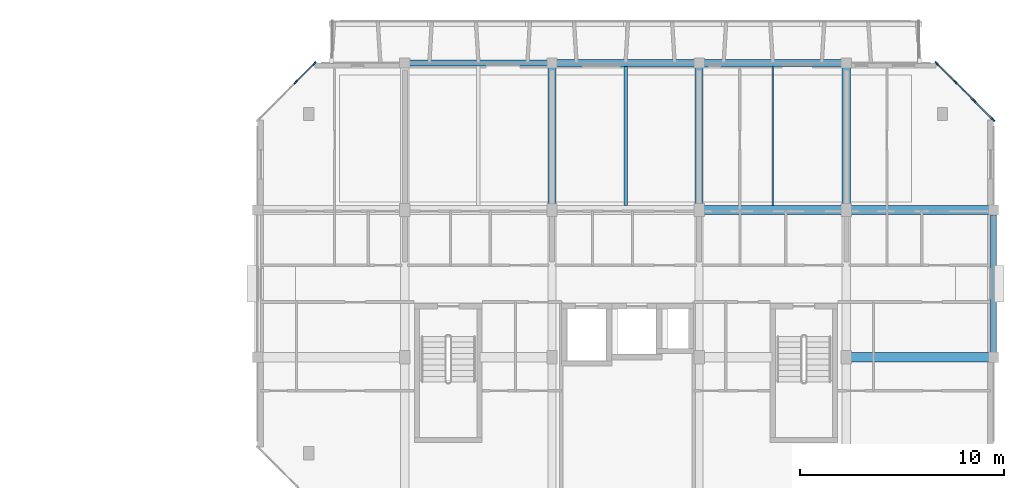
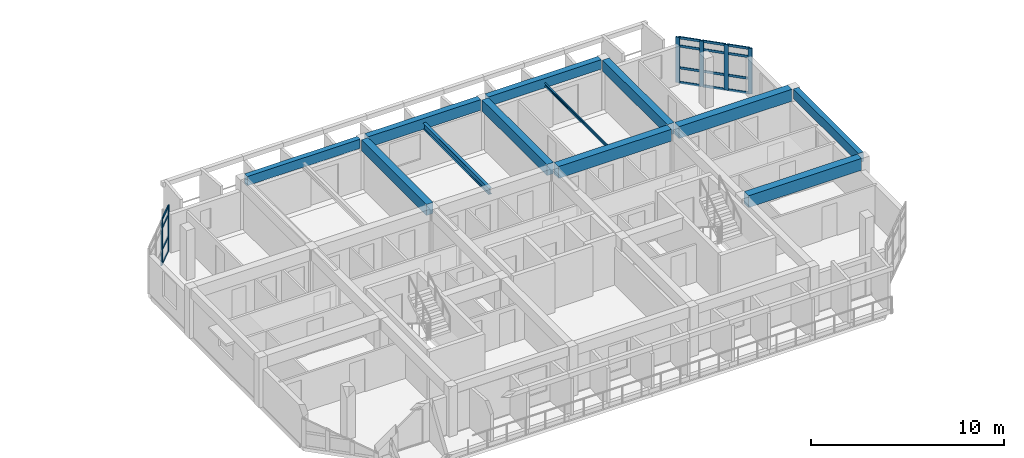
# One storey, part 10 of 45: 22 members, 12 beams, 2 elements without a shape of their own.
"""IFC4 building model written with IfcOpenShell, lengths in metres."""

from ifc_helpers import new_model, si_unit, direction, frame, origin, origin_2d, place, context, subcontext, project, spatial, rectangle, i_section, u_section, extrude, material, layer, layer_set, material_profile, profile_set, type_object, element, aggregate, save


model = new_model("IFC4")

# Units and contexts
model_context = context("Model", 3, precision=1e-05, world=origin(), true_north=direction((0.0, 1.0)))
body_context = subcontext(model_context, "Body", "Model", "MODEL_VIEW")
ifc_project = project(units=[si_unit("LENGTHUNIT", "METRE"), si_unit("AREAUNIT", "SQUARE_METRE"), si_unit("VOLUMEUNIT", "CUBIC_METRE"), si_unit("PLANEANGLEUNIT", "RADIAN"), si_unit("MASSUNIT", "GRAM", prefix="KILO")], contexts=[model_context])

# Site, building, storey
site_placement = place(None, origin())
site = spatial("IfcSite", under=ifc_project, at=site_placement, CompositionType="ELEMENT")
building_placement = place(site_placement, origin())
building = spatial("IfcBuilding", under=site, at=building_placement, Name="Ochrevale Crest", CompositionType="ELEMENT")
storey_placement = place(building_placement, frame((0.0, 0.0, 18.14990234375)))
storey = spatial("IfcBuildingStorey", under=building, at=storey_placement, Name="L05", CompositionType="ELEMENT", Elevation=18.14990234375)

# Beams
ifc_material_1 = material(Name="Precast concrete C50/60", Category="concrete")
ifc_material_profile_1 = material_profile(ifc_material_1, rectangle(XDim=0.39990234375, YDim=0.699951171875, at=origin_2d()), Name="PC 400x700")
ifc_profile_set_1 = profile_set([ifc_material_profile_1], Name="Precast concrete C50/60")
beam_type_1 = type_object("IfcBeamType", Name="BM-PC400x700", PredefinedType="BEAM", material=ifc_profile_set_1)
for number, where, z_axis, x_axis, name in (
    (1, (144.0, 86.6298828125, 2.800048828125), (0.0, 1.0, 0.0), (-1.0, 0.0, 0.0), "Block D L05 N-S beam X=144.0"),
    (2, (151.199951171875, 86.6298828125, 2.800048828125), (0.0, 1.0, 0.0), (-1.0, 0.0, 0.0), "Block D L05 N-S beam X=151.2"),
    (3, (158.39990234375, 86.6298828125, 2.800048828125), (0.0, 1.0, 0.0), (-1.0, 0.0, 0.0), "Block D L05 N-S beam X=158.4"),
):
    element("IfcBeam", number, at=place(storey_placement, frame(where, z_axis=z_axis, x_axis=x_axis)), inside=storey, type_object=beam_type_1, Name=name, PredefinedType="BEAM", context=body_context, shape_type="SweptSolid", body=[
        extrude(rectangle(XDim=0.39990234375, YDim=0.699951171875, at=origin_2d()), origin(), (0.0, 0.0, 1.0), 6.740234375),
    ])
ifc_material_2 = material(Name="Steel S355", Category="steel")
ifc_material_profile_2 = material_profile(ifc_material_2, u_section(Depth=0.199951171875, FlangeWidth=0.074951171875, WebThickness=0.006103515625, FlangeThickness=0.011962890625, FilletRadius=0.011962890625, at=origin_2d()), Name="200PFC")
ifc_profile_set_2 = profile_set([ifc_material_profile_2], Name="Steel S355")
beam_type_2 = type_object("IfcBeamType", Name="BM-PFC200", PredefinedType="JOIST", material=ifc_profile_set_2)
beam_1_placement = place(storey_placement, frame((154.800048828125, 86.613037109375, 2.775146484375), z_axis=(0.0, 1.0, 0.0), x_axis=(-1.0, 0.0, 0.0)))
element("IfcBeam", 4, at=beam_1_placement, inside=storey, type_object=beam_type_2, Name="Block D L05 composite plank trimmer beam 4", PredefinedType="JOIST", context=body_context, shape_type="SweptSolid", body=[
    extrude(u_section(Depth=0.199951171875, FlangeWidth=0.074951171875, WebThickness=0.006103515625, FlangeThickness=0.011962890625, FilletRadius=0.011962890625, at=origin_2d()), origin(), (0.0, 0.0, 1.0), 6.823974609375),
])
ifc_material_3 = material(Name="Concrete C50/60", Category="concrete")
ifc_material_profile_3 = material_profile(ifc_material_3, rectangle(XDim=0.449951171875, YDim=0.75, at=origin_2d()), Name="RC 450x750")
ifc_profile_set_3 = profile_set([ifc_material_profile_3], Name="Concrete C50/60")
beam_type_3 = type_object("IfcBeamType", Name="BM-PG450x750", PredefinedType="USERDEFINED", material=ifc_profile_set_3)
for number, where, z_axis, x_axis, name in (
    (5, (158.625, 79.199951171875, 2.775146484375), (1.0, 0.0, 0.0), (0.0, 1.0, 0.0), "Block D L05 E-W beam Y=79.2"),
    (6, (151.425048828125, 86.39990234375, 2.775146484375), (1.0, 0.0, 0.0), (0.0, 1.0, 0.0), "Block D L05 E-W beam Y=86.4"),
    (7, (158.625, 86.39990234375, 2.775146484375), (1.0, 0.0, 0.0), (0.0, 1.0, 0.0), "Block D L05 E-W beam Y=86.4"),
):
    element("IfcBeam", number, at=place(storey_placement, frame(where, z_axis=z_axis, x_axis=x_axis)), inside=storey, type_object=beam_type_3, Name=name, ObjectType="GIRDER", PredefinedType="USERDEFINED", context=body_context, shape_type="SweptSolid", body=[
        extrude(rectangle(XDim=0.449951171875, YDim=0.75, at=origin_2d()), origin(), (0.0, 0.0, 1.0), 6.75),
    ])
ifc_material_4 = material(Name="Precast concrete C40/50", Category="concrete")
ifc_material_profile_4 = material_profile(ifc_material_4, rectangle(XDim=0.300048828125, YDim=0.580078125, at=origin_2d()), Name="PC 300x580")
ifc_profile_set_4 = profile_set([ifc_material_profile_4], Name="Precast concrete C40/50")
beam_type_4 = type_object("IfcBeamType", Name="BM-SP300x580", PredefinedType="SPANDREL", material=ifc_profile_set_4)
beam_2_placement = place(storey_placement, frame((137.02490234375, 93.60009765625, 2.860107421875), z_axis=(1.0, 0.0, 0.0), x_axis=(0.0, 1.0, 0.0)))
element("IfcBeam", 8, at=beam_2_placement, inside=storey, type_object=beam_type_4, Name="Block D L05 E-W beam Y=93.6", PredefinedType="SPANDREL", context=body_context, shape_type="SweptSolid", body=[
    extrude(rectangle(XDim=0.300048828125, YDim=0.580078125, at=origin_2d()), origin(), (0.0, 0.0, 1.0), 6.75),
])
ifc_material_profile_5 = material_profile(ifc_material_4, rectangle(XDim=0.300048828125, YDim=0.60009765625, at=origin_2d()), Name="PC 300x600")
ifc_profile_set_5 = profile_set([ifc_material_profile_5], Name="Precast concrete C40/50")
beam_type_5 = type_object("IfcBeamType", Name="BM-SP300x600", PredefinedType="SPANDREL", material=ifc_profile_set_5)
beam_3_placement = place(storey_placement, frame((165.60009765625, 79.429931640625, 2.85009765625), z_axis=(0.0, 1.0, 0.0), x_axis=(-1.0, 0.0, 0.0)))
element("IfcBeam", 9, at=beam_3_placement, inside=storey, type_object=beam_type_5, Name="Block D L05 N-S beam X=165.6", PredefinedType="SPANDREL", context=body_context, shape_type="SweptSolid", body=[
    extrude(rectangle(XDim=0.300048828125, YDim=0.60009765625, at=origin_2d()), origin(), (0.0, 0.0, 1.0), 6.739990234375),
])
ifc_material_profile_6 = material_profile(ifc_material_4, rectangle(XDim=0.35009765625, YDim=0.60009765625, at=origin_2d()), Name="PC 350x600")
ifc_profile_set_6 = profile_set([ifc_material_profile_6], Name="Precast concrete C40/50")
beam_type_6 = type_object("IfcBeamType", Name="BM-SP350x600", PredefinedType="SPANDREL", material=ifc_profile_set_6)
beam_4_placement = place(storey_placement, frame((151.425048828125, 93.60009765625, 2.85009765625), z_axis=(1.0, 0.0, 0.0), x_axis=(0.0, 1.0, 0.0)))
element("IfcBeam", 10, at=beam_4_placement, inside=storey, type_object=beam_type_6, Name="Block D L05 E-W beam Y=93.6", PredefinedType="SPANDREL", context=body_context, shape_type="SweptSolid", body=[
    extrude(rectangle(XDim=0.35009765625, YDim=0.60009765625, at=origin_2d()), origin(), (0.0, 0.0, 1.0), 6.75),
])
ifc_material_profile_7 = material_profile(ifc_material_4, rectangle(XDim=0.35009765625, YDim=0.679931640625, at=origin_2d()), Name="PC 350x680")
ifc_profile_set_7 = profile_set([ifc_material_profile_7], Name="Precast concrete C40/50")
beam_type_7 = type_object("IfcBeamType", Name="BM-SP350x680", PredefinedType="SPANDREL", material=ifc_profile_set_7)
beam_5_placement = place(storey_placement, frame((144.22509765625, 93.60009765625, 2.81005859375), z_axis=(1.0, 0.0, 0.0), x_axis=(0.0, 1.0, 0.0)))
element("IfcBeam", 11, at=beam_5_placement, inside=storey, type_object=beam_type_7, Name="Block D L05 E-W beam Y=93.6", PredefinedType="SPANDREL", context=body_context, shape_type="SweptSolid", body=[
    extrude(rectangle(XDim=0.35009765625, YDim=0.679931640625, at=origin_2d()), origin(), (0.0, 0.0, 1.0), 6.75),
])
ifc_material_profile_8 = material_profile(ifc_material_2, i_section(OverallWidth=0.177734375, OverallDepth=0.402587890625, WebThickness=0.007568359375, FlangeThickness=0.010986328125, FilletRadius=0.011474609375, at=origin_2d()), Name="410UB53.7")
ifc_profile_set_8 = profile_set([ifc_material_profile_8], Name="Steel S355")
beam_type_8 = type_object("IfcBeamType", Name="BM-UB410A", PredefinedType="BEAM", material=ifc_profile_set_8)
beam_6_placement = place(storey_placement, frame((147.60009765625, 86.613037109375, 2.673828125), z_axis=(0.0, 1.0, 0.0), x_axis=(-1.0, 0.0, 0.0)))
element("IfcBeam", 12, at=beam_6_placement, inside=storey, type_object=beam_type_8, Name="Block D L05 composite plank trimmer beam 3", PredefinedType="BEAM", context=body_context, shape_type="SweptSolid", body=[
    extrude(i_section(OverallWidth=0.177734375, OverallDepth=0.402587890625, WebThickness=0.007568359375, FlangeThickness=0.010986328125, FilletRadius=0.011474609375, at=origin_2d()), origin(), (0.0, 0.0, 1.0), 6.823974609375),
])

# Curtain wall, members
ifc_material_5 = material(Name="Anodised aluminium 6063-T5", Category="aluminium")
ifc_layer_1 = layer(ifc_material_5, 0.14990234375)
ifc_layer_set_1 = layer_set([ifc_layer_1], Name="Anodised aluminium 6063-T5")
curtain_wall_type_1 = type_object("IfcCurtainWallType", Name="CW-WG-420x285", PredefinedType="NOTDEFINED", material=ifc_layer_set_1)
curtain_wall_1_placement = place(storey_placement, origin())
curtain_wall_1 = element("IfcCurtainWall", 13, at=curtain_wall_1_placement, inside=storey, type_object=curtain_wall_type_1, Name="Block D L05 chamfered corner wintergarden curtain wall 4", PredefinedType="NOTDEFINED")
ifc_material_profile_9 = material_profile(ifc_material_5, rectangle(XDim=0.074951171875, YDim=0.219970703125, at=origin_2d()), Name="ALU 75x220")
ifc_profile_set_9 = profile_set([ifc_material_profile_9], Name="Anodised aluminium 6063-T5")
member_type_1 = type_object("IfcMemberType", Name="CW-MUL-75x220", PredefinedType="MULLION", material=ifc_profile_set_9)
member_1_placement = place(storey_placement, frame((165.573486328125, 90.826416015625, 0.0), z_axis=(0.0, 0.0, 1.0), x_axis=(-0.707106781187, -0.707106781187, 0.0)))
member_1 = element("IfcMember", 14, at=member_1_placement, type_object=member_type_1, Name="CW22 mullion 1", PredefinedType="MULLION", context=body_context, shape_type="SweptSolid", body=[
    extrude(rectangle(XDim=0.074951171875, YDim=0.219970703125, at=origin_2d()), origin(), (0.0, 0.0, 1.0), 2.875),
])
member_2_placement = place(storey_placement, frame((164.666748046875, 91.7333984375, 0.0), z_axis=(0.0, 0.0, 1.0), x_axis=(-0.707106781187, -0.707106781187, 0.0)))
member_2 = element("IfcMember", 15, at=member_2_placement, type_object=member_type_1, Name="CW22 mullion 2", PredefinedType="MULLION", context=body_context, shape_type="SweptSolid", body=[
    extrude(rectangle(XDim=0.074951171875, YDim=0.219970703125, at=origin_2d()), origin(), (0.0, 0.0, 1.0), 2.875),
])
member_3_placement = place(storey_placement, frame((163.7333984375, 92.666748046875, 0.0), z_axis=(0.0, 0.0, 1.0), x_axis=(-0.707106781187, -0.707106781187, 0.0)))
member_3 = element("IfcMember", 16, at=member_3_placement, type_object=member_type_1, Name="CW22 mullion 3", PredefinedType="MULLION", context=body_context, shape_type="SweptSolid", body=[
    extrude(rectangle(XDim=0.074951171875, YDim=0.219970703125, at=origin_2d()), origin(), (0.0, 0.0, 1.0), 2.875),
])
member_4_placement = place(storey_placement, frame((162.826416015625, 93.573486328125, 0.0), z_axis=(0.0, 0.0, 1.0), x_axis=(-0.707106781187, -0.707106781187, 0.0)))
member_4 = element("IfcMember", 17, at=member_4_placement, type_object=member_type_1, Name="CW22 mullion 4", PredefinedType="MULLION", context=body_context, shape_type="SweptSolid", body=[
    extrude(rectangle(XDim=0.074951171875, YDim=0.219970703125, at=origin_2d()), origin(), (0.0, 0.0, 1.0), 2.875),
])

ifc_layer_2 = layer(ifc_material_5, 0.14990234375)
ifc_layer_set_2 = layer_set([ifc_layer_2], Name="Anodised aluminium 6063-T5")
curtain_wall_type_2 = type_object("IfcCurtainWallType", Name="CW-WG-280x285", PredefinedType="NOTDEFINED", material=ifc_layer_set_2)
curtain_wall_2_placement = place(storey_placement, origin())
curtain_wall_2 = element("IfcCurtainWall", 18, at=curtain_wall_2_placement, inside=storey, type_object=curtain_wall_type_2, Name="Block D L05 chamfered corner wintergarden curtain wall 6", PredefinedType="NOTDEFINED")
member_5_placement = place(storey_placement, frame((132.37353515625, 93.573486328125, 0.0), z_axis=(0.0, 0.0, 1.0), x_axis=(0.707106781187, -0.707106781187, 0.0)))
member_5 = element("IfcMember", 19, at=member_5_placement, type_object=member_type_1, Name="CW16 mullion 1", PredefinedType="MULLION", context=body_context, shape_type="SweptSolid", body=[
    extrude(rectangle(XDim=0.074951171875, YDim=0.219970703125, at=origin_2d()), origin(), (0.0, 0.0, 1.0), 2.875),
])
member_6_placement = place(storey_placement, frame((131.466552734375, 92.666748046875, 0.0), z_axis=(0.0, 0.0, 1.0), x_axis=(0.707106781187, -0.707106781187, 0.0)))
member_6 = element("IfcMember", 20, at=member_6_placement, type_object=member_type_1, Name="CW16 mullion 2", PredefinedType="MULLION", context=body_context, shape_type="SweptSolid", body=[
    extrude(rectangle(XDim=0.074951171875, YDim=0.219970703125, at=origin_2d()), origin(), (0.0, 0.0, 1.0), 2.875),
])

# Member
ifc_material_profile_10 = material_profile(ifc_material_5, rectangle(XDim=0.06005859375, YDim=0.14990234375, at=origin_2d()), Name="ALU 60x150")
ifc_profile_set_10 = profile_set([ifc_material_profile_10], Name="Anodised aluminium 6063-T5")
member_type_2 = type_object("IfcMemberType", Name="CW-TRN-60x150", PredefinedType="USERDEFINED", material=ifc_profile_set_10)
member_7_placement = place(storey_placement, frame((165.546875, 90.85302734375, 0.030029296875), z_axis=(-0.707106781187, 0.707106781187, 0.0), x_axis=(-0.707106781187, -0.707106781187, 0.0)))
member_7 = element("IfcMember", 21, at=member_7_placement, type_object=member_type_2, Name="CW22 transom 1.1", ObjectType="TRANSOM", PredefinedType="USERDEFINED", context=body_context, shape_type="SweptSolid", body=[
    extrude(rectangle(XDim=0.06005859375, YDim=0.14990234375, at=origin_2d()), origin(), (0.0, 0.0, 1.0), 1.20751953125),
])

member_8_placement = place(storey_placement, frame((165.546875, 90.85302734375, 0.9501953125), z_axis=(-0.707106781187, 0.707106781187, 0.0), x_axis=(-0.707106781187, -0.707106781187, 0.0)))
member_8 = element("IfcMember", 22, at=member_8_placement, type_object=member_type_2, Name="CW22 transom 1.2", ObjectType="TRANSOM", PredefinedType="USERDEFINED", context=body_context, shape_type="SweptSolid", body=[
    extrude(rectangle(XDim=0.06005859375, YDim=0.14990234375, at=origin_2d()), origin(), (0.0, 0.0, 1.0), 1.20751953125),
])

member_9_placement = place(storey_placement, frame((165.546875, 90.85302734375, 2.3251953125), z_axis=(-0.707106781187, 0.707106781187, 0.0), x_axis=(-0.707106781187, -0.707106781187, 0.0)))
member_9 = element("IfcMember", 23, at=member_9_placement, type_object=member_type_2, Name="CW22 transom 1.3", ObjectType="TRANSOM", PredefinedType="USERDEFINED", context=body_context, shape_type="SweptSolid", body=[
    extrude(rectangle(XDim=0.06005859375, YDim=0.14990234375, at=origin_2d()), origin(), (0.0, 0.0, 1.0), 1.20751953125),
])

member_10_placement = place(storey_placement, frame((165.546875, 90.85302734375, 2.84521484375), z_axis=(-0.707106781187, 0.707106781187, 0.0), x_axis=(-0.707106781187, -0.707106781187, 0.0)))
member_10 = element("IfcMember", 24, at=member_10_placement, type_object=member_type_2, Name="CW22 transom 1.4", ObjectType="TRANSOM", PredefinedType="USERDEFINED", context=body_context, shape_type="SweptSolid", body=[
    extrude(rectangle(XDim=0.06005859375, YDim=0.14990234375, at=origin_2d()), origin(), (0.0, 0.0, 1.0), 1.20751953125),
])

member_11_placement = place(storey_placement, frame((164.64013671875, 91.759765625, 0.030029296875), z_axis=(-0.707106781187, 0.707106781187, 0.0), x_axis=(-0.707106781187, -0.707106781187, 0.0)))
member_11 = element("IfcMember", 25, at=member_11_placement, type_object=member_type_2, Name="CW22 transom 2.1", ObjectType="TRANSOM", PredefinedType="USERDEFINED", context=body_context, shape_type="SweptSolid", body=[
    extrude(rectangle(XDim=0.06005859375, YDim=0.14990234375, at=origin_2d()), origin(), (0.0, 0.0, 1.0), 1.2451171875),
])

member_12_placement = place(storey_placement, frame((164.64013671875, 91.759765625, 0.9501953125), z_axis=(-0.707106781187, 0.707106781187, 0.0), x_axis=(-0.707106781187, -0.707106781187, 0.0)))
member_12 = element("IfcMember", 26, at=member_12_placement, type_object=member_type_2, Name="CW22 transom 2.2", ObjectType="TRANSOM", PredefinedType="USERDEFINED", context=body_context, shape_type="SweptSolid", body=[
    extrude(rectangle(XDim=0.06005859375, YDim=0.14990234375, at=origin_2d()), origin(), (0.0, 0.0, 1.0), 1.2451171875),
])

member_13_placement = place(storey_placement, frame((164.64013671875, 91.759765625, 2.3251953125), z_axis=(-0.707106781187, 0.707106781187, 0.0), x_axis=(-0.707106781187, -0.707106781187, 0.0)))
member_13 = element("IfcMember", 27, at=member_13_placement, type_object=member_type_2, Name="CW22 transom 2.3", ObjectType="TRANSOM", PredefinedType="USERDEFINED", context=body_context, shape_type="SweptSolid", body=[
    extrude(rectangle(XDim=0.06005859375, YDim=0.14990234375, at=origin_2d()), origin(), (0.0, 0.0, 1.0), 1.2451171875),
])

member_14_placement = place(storey_placement, frame((164.64013671875, 91.759765625, 2.84521484375), z_axis=(-0.707106781187, 0.707106781187, 0.0), x_axis=(-0.707106781187, -0.707106781187, 0.0)))
member_14 = element("IfcMember", 28, at=member_14_placement, type_object=member_type_2, Name="CW22 transom 2.4", ObjectType="TRANSOM", PredefinedType="USERDEFINED", context=body_context, shape_type="SweptSolid", body=[
    extrude(rectangle(XDim=0.06005859375, YDim=0.14990234375, at=origin_2d()), origin(), (0.0, 0.0, 1.0), 1.2451171875),
])

member_15_placement = place(storey_placement, frame((163.706787109375, 92.693115234375, 0.030029296875), z_axis=(-0.707106781187, 0.707106781187, 0.0), x_axis=(-0.707106781187, -0.707106781187, 0.0)))
member_15 = element("IfcMember", 29, at=member_15_placement, type_object=member_type_2, Name="CW22 transom 3.1", ObjectType="TRANSOM", PredefinedType="USERDEFINED", context=body_context, shape_type="SweptSolid", body=[
    extrude(rectangle(XDim=0.06005859375, YDim=0.14990234375, at=origin_2d()), origin(), (0.0, 0.0, 1.0), 1.20751953125),
])

member_16_placement = place(storey_placement, frame((163.706787109375, 92.693115234375, 0.9501953125), z_axis=(-0.707106781187, 0.707106781187, 0.0), x_axis=(-0.707106781187, -0.707106781187, 0.0)))
member_16 = element("IfcMember", 30, at=member_16_placement, type_object=member_type_2, Name="CW22 transom 3.2", ObjectType="TRANSOM", PredefinedType="USERDEFINED", context=body_context, shape_type="SweptSolid", body=[
    extrude(rectangle(XDim=0.06005859375, YDim=0.14990234375, at=origin_2d()), origin(), (0.0, 0.0, 1.0), 1.20751953125),
])

member_17_placement = place(storey_placement, frame((163.706787109375, 92.693115234375, 2.3251953125), z_axis=(-0.707106781187, 0.707106781187, 0.0), x_axis=(-0.707106781187, -0.707106781187, 0.0)))
member_17 = element("IfcMember", 31, at=member_17_placement, type_object=member_type_2, Name="CW22 transom 3.3", ObjectType="TRANSOM", PredefinedType="USERDEFINED", context=body_context, shape_type="SweptSolid", body=[
    extrude(rectangle(XDim=0.06005859375, YDim=0.14990234375, at=origin_2d()), origin(), (0.0, 0.0, 1.0), 1.20751953125),
])

member_18_placement = place(storey_placement, frame((163.706787109375, 92.693115234375, 2.84521484375), z_axis=(-0.707106781187, 0.707106781187, 0.0), x_axis=(-0.707106781187, -0.707106781187, 0.0)))
member_18 = element("IfcMember", 32, at=member_18_placement, type_object=member_type_2, Name="CW22 transom 3.4", ObjectType="TRANSOM", PredefinedType="USERDEFINED", context=body_context, shape_type="SweptSolid", body=[
    extrude(rectangle(XDim=0.06005859375, YDim=0.14990234375, at=origin_2d()), origin(), (0.0, 0.0, 1.0), 1.20751953125),
])

aggregate(curtain_wall_1, [member_1, member_2, member_3, member_4, member_7, member_8, member_9, member_10, member_11, member_12, member_13, member_14, member_15, member_16, member_17, member_18])

member_19_placement = place(storey_placement, frame((132.346923828125, 93.546875, 0.030029296875), z_axis=(-0.707106781187, -0.707106781187, 0.0), x_axis=(0.707106781187, -0.707106781187, 0.0)))
member_19 = element("IfcMember", 33, at=member_19_placement, type_object=member_type_2, Name="CW16 transom 1.1", ObjectType="TRANSOM", PredefinedType="USERDEFINED", context=body_context, shape_type="SweptSolid", body=[
    extrude(rectangle(XDim=0.06005859375, YDim=0.14990234375, at=origin_2d()), origin(), (0.0, 0.0, 1.0), 1.20751953125),
])

member_20_placement = place(storey_placement, frame((132.346923828125, 93.546875, 0.9501953125), z_axis=(-0.707106781187, -0.707106781187, 0.0), x_axis=(0.707106781187, -0.707106781187, 0.0)))
member_20 = element("IfcMember", 34, at=member_20_placement, type_object=member_type_2, Name="CW16 transom 1.2", ObjectType="TRANSOM", PredefinedType="USERDEFINED", context=body_context, shape_type="SweptSolid", body=[
    extrude(rectangle(XDim=0.06005859375, YDim=0.14990234375, at=origin_2d()), origin(), (0.0, 0.0, 1.0), 1.20751953125),
])

member_21_placement = place(storey_placement, frame((132.346923828125, 93.546875, 2.3251953125), z_axis=(-0.707106781187, -0.707106781187, 0.0), x_axis=(0.707106781187, -0.707106781187, 0.0)))
member_21 = element("IfcMember", 35, at=member_21_placement, type_object=member_type_2, Name="CW16 transom 1.3", ObjectType="TRANSOM", PredefinedType="USERDEFINED", context=body_context, shape_type="SweptSolid", body=[
    extrude(rectangle(XDim=0.06005859375, YDim=0.14990234375, at=origin_2d()), origin(), (0.0, 0.0, 1.0), 1.20751953125),
])

member_22_placement = place(storey_placement, frame((132.346923828125, 93.546875, 2.84521484375), z_axis=(-0.707106781187, -0.707106781187, 0.0), x_axis=(0.707106781187, -0.707106781187, 0.0)))
member_22 = element("IfcMember", 36, at=member_22_placement, type_object=member_type_2, Name="CW16 transom 1.4", ObjectType="TRANSOM", PredefinedType="USERDEFINED", context=body_context, shape_type="SweptSolid", body=[
    extrude(rectangle(XDim=0.06005859375, YDim=0.14990234375, at=origin_2d()), origin(), (0.0, 0.0, 1.0), 1.20751953125),
])

aggregate(curtain_wall_2, [member_5, member_6, member_19, member_20, member_21, member_22])

save(model, "model.ifc")
